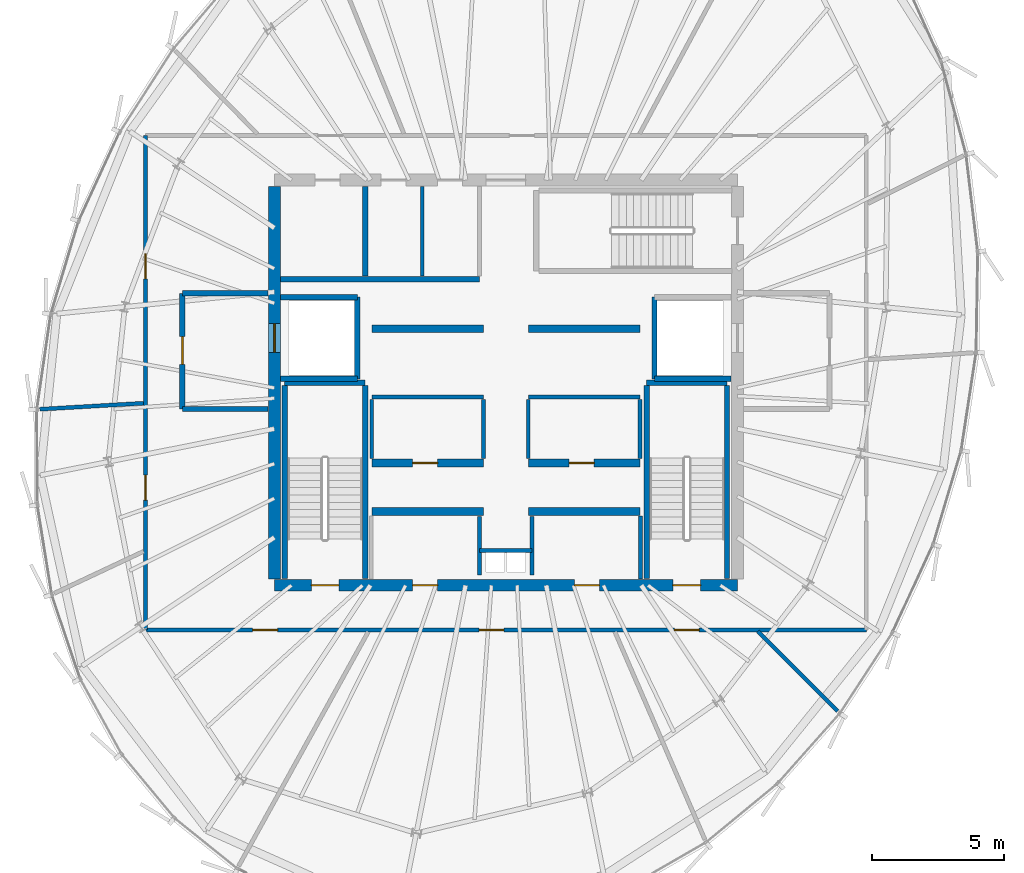
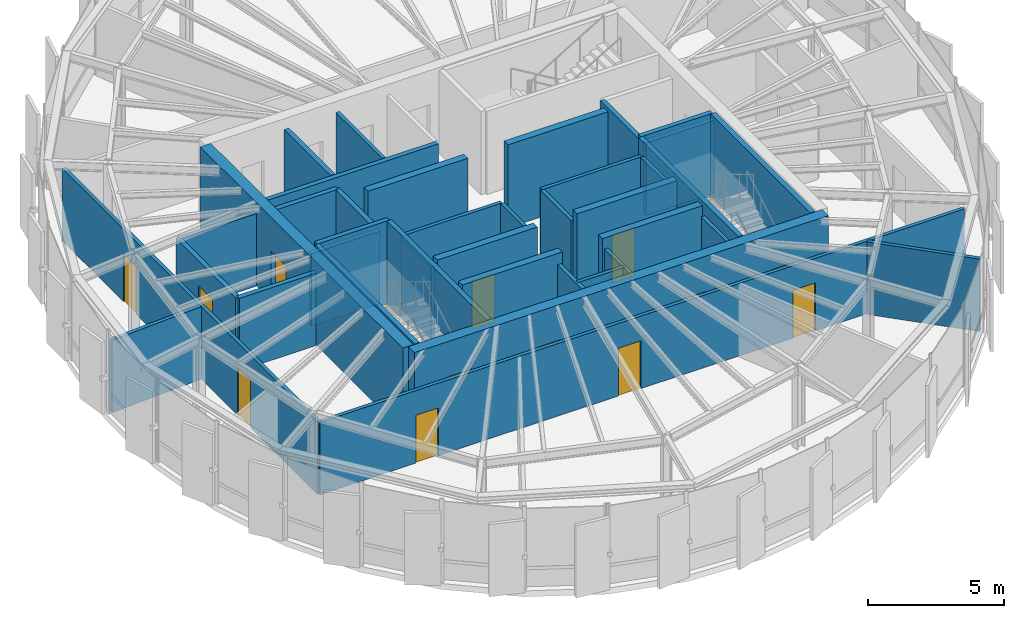
# One storey, part 22 of 27: 39 walls, 13 doors, 13 openings.
"""IFC4 building model written with IfcOpenShell, lengths in metres."""

from ifc_helpers import new_model, si_unit, direction, frame, frame_2d, origin, place, context, subcontext, project, spatial, rectangle, extrude, source, transform, mapped, material, layer, layer_set, type_object, element, fill, save


model = new_model("IFC4")

# Units and contexts
model_context = context("Model", 3, precision=1e-05, world=origin(), true_north=direction((0.0, 1.0)))
body_context = subcontext(model_context, "Body", "Model", "MODEL_VIEW")
ifc_project = project(units=[si_unit("LENGTHUNIT", "METRE"), si_unit("AREAUNIT", "SQUARE_METRE"), si_unit("VOLUMEUNIT", "CUBIC_METRE"), si_unit("PLANEANGLEUNIT", "RADIAN"), si_unit("MASSUNIT", "GRAM", prefix="KILO"), si_unit("THERMODYNAMICTEMPERATUREUNIT", "KELVIN")], contexts=[model_context])

# Site, building, storey
site_placement = place(None, origin())
site = spatial("IfcSite", under=ifc_project, at=site_placement, CompositionType="ELEMENT")
building_placement = place(site_placement, origin())
building = spatial("IfcBuilding", under=site, at=building_placement, Name="Kethvar Cultural Tower", CompositionType="ELEMENT")
storey_placement = place(building_placement, frame((0.0, 0.0, 312.300048828125)))
storey = spatial("IfcBuildingStorey", under=building, at=storey_placement, Name="L83", CompositionType="ELEMENT", Elevation=312.300048828125)

# Wall, openings, doors
ifc_material_1 = material(Name="Concrete C50/60", Category="concrete")
ifc_layer_1 = layer(ifc_material_1, 0.449951171875, Name="Concrete C50/60", Category="concrete")
ifc_layer_set_1 = layer_set([ifc_layer_1], Name="Concrete C50/60 (450 mm)")
wall_type_1 = type_object("IfcWallType", Name="WL-CORE-450", PredefinedType="SHEAR", material=ifc_layer_set_1)
wall_1_placement = place(storey_placement, frame((38.0, 20.10009765625, 0.0), z_axis=(0.0, 0.0, 1.0), x_axis=(1.0, 0.0, 0.0)))
wall_1 = element("IfcWall", 1, at=wall_1_placement, inside=storey, type_object=wall_type_1, Name="L83 Core Shear Wall S", PredefinedType="SHEAR", context=body_context, shape_type="SweptSolid", body=[
    extrude(rectangle(XDim=17.60009765625, YDim=0.449951171875, at=frame_2d((8.800048828125, 0.0))), origin(), (0.0, 0.0, 1.0), 3.73486328125),
])
opening_1_placement = place(wall_1_placement, frame((1.39990234375, 0.0, 0.0)))
opening_1 = element("IfcOpeningElement", 2, at=opening_1_placement, cuts=wall_1, Name="Opening D-L83-S1", PredefinedType="OPENING", context=body_context, shape_type="SweptSolid", body=[
    extrude(rectangle(XDim=1.050048828125, YDim=2.14990234375, at=frame_2d((0.52490234375, 1.074951171875))), frame((0.0, 0.23486328125, 0.0), z_axis=(0.0, -1.0, 0.0), x_axis=(1.0, 0.0, 0.0)), (0.0, 0.0, 1.0), 0.469970703125),
])
opening_2_placement = place(wall_1_placement, frame((15.14990234375, 0.0, 0.0)))
opening_2 = element("IfcOpeningElement", 3, at=opening_2_placement, cuts=wall_1, Name="Opening D-L83-ST2", PredefinedType="OPENING", context=body_context, shape_type="SweptSolid", body=[
    extrude(rectangle(XDim=1.050048828125, YDim=2.14990234375, at=frame_2d((0.52490234375, 1.074951171875))), frame((0.0, 0.23486328125, 0.0), z_axis=(0.0, -1.0, 0.0), x_axis=(1.0, 0.0, 0.0)), (0.0, 0.0, 1.0), 0.469970703125),
])
opening_3_placement = place(wall_1_placement, frame((5.25, 0.0, 0.0)))
opening_3 = element("IfcOpeningElement", 4, at=opening_3_placement, cuts=wall_1, Name="Opening D-L83-V1", PredefinedType="OPENING", context=body_context, shape_type="SweptSolid", body=[
    extrude(rectangle(XDim=0.949951171875, YDim=2.14990234375, at=frame_2d((0.47509765625, 1.074951171875))), frame((0.0, 0.23486328125, 0.0), z_axis=(0.0, -1.0, 0.0), x_axis=(1.0, 0.0, 0.0)), (0.0, 0.0, 1.0), 0.469970703125),
])
opening_4_placement = place(wall_1_placement, frame((11.39990234375, 0.0, 0.0)))
opening_4 = element("IfcOpeningElement", 5, at=opening_4_placement, cuts=wall_1, Name="Opening D-L83-V2", PredefinedType="OPENING", context=body_context, shape_type="SweptSolid", body=[
    extrude(rectangle(XDim=0.949951171875, YDim=2.14990234375, at=frame_2d((0.47509765625, 1.074951171875))), frame((0.0, 0.23486328125, 0.0), z_axis=(0.0, -1.0, 0.0), x_axis=(1.0, 0.0, 0.0)), (0.0, 0.0, 1.0), 0.469970703125),
])
ifc_material_2 = material(Name="Steel S355J2", Category="steel")
door_type_1 = type_object("IfcDoorType", Name="DR-FD60-1050", OperationType="NOTDEFINED", PredefinedType="DOOR", material=ifc_material_2)
shared_shape_1 = source(origin(), body_context, "Body", "SweptSolid", [
    extrude(rectangle(XDim=1.050048828125, YDim=2.14990234375, at=frame_2d((0.52490234375, 1.074951171875))), frame((0.0, 0.02490234375, 0.0), z_axis=(0.0, -1.0, 0.0), x_axis=(1.0, 0.0, 0.0)), (0.0, 0.0, 1.0), 0.050048828125),
])
door_1_placement = place(opening_1_placement, origin())
door_1 = element("IfcDoor", 6, at=door_1_placement, inside=storey, type_object=door_type_1, Name="L83 Exit Stair 1 Door", OperationType="SINGLE_SWING_LEFT", OverallHeight=2.14990234375, OverallWidth=1.050048828125, PredefinedType="DOOR", context=body_context, shape_type="MappedRepresentation", body=[
    mapped(shared_shape_1, transform((0.0, 0.0, 0.0), scale=1.0)),
])
fill(opening_1, door_1)
door_2_placement = place(opening_2_placement, origin())
door_2 = element("IfcDoor", 7, at=door_2_placement, inside=storey, type_object=door_type_1, Name="L83 Exit Stair 2 Door", OperationType="SINGLE_SWING_RIGHT", OverallHeight=2.14990234375, OverallWidth=1.050048828125, PredefinedType="DOOR", context=body_context, shape_type="MappedRepresentation", body=[
    mapped(shared_shape_1, transform((0.0, 0.0, 0.0), scale=1.0)),
])
fill(opening_2, door_2)
ifc_material_3 = material(Name="Architectural Oak Timber", Category="wood")
door_type_2 = type_object("IfcDoorType", Name="DR-FD30-950", OperationType="NOTDEFINED", PredefinedType="DOOR", material=ifc_material_3)
shared_shape_2 = source(origin(), body_context, "Body", "SweptSolid", [
    extrude(rectangle(XDim=0.949951171875, YDim=2.14990234375, at=frame_2d((0.47509765625, 1.074951171875))), frame((0.0, 0.02490234375, 0.0), z_axis=(0.0, -1.0, 0.0), x_axis=(1.0, 0.0, 0.0)), (0.0, 0.0, 1.0), 0.050048828125),
])
door_3_placement = place(opening_3_placement, origin())
door_3 = element("IfcDoor", 8, at=door_3_placement, inside=storey, type_object=door_type_2, Name="L83 Reclaimed West Room Door", OperationType="SINGLE_SWING_LEFT", OverallHeight=2.14990234375, OverallWidth=0.949951171875, PredefinedType="DOOR", context=body_context, shape_type="MappedRepresentation", body=[
    mapped(shared_shape_2, transform((0.0, 0.0, 0.0), scale=1.0)),
])
fill(opening_3, door_3)
door_4_placement = place(opening_4_placement, origin())
door_4 = element("IfcDoor", 9, at=door_4_placement, inside=storey, type_object=door_type_2, Name="L83 Reclaimed East Room Door", OperationType="SINGLE_SWING_RIGHT", OverallHeight=2.14990234375, OverallWidth=0.949951171875, PredefinedType="DOOR", context=body_context, shape_type="MappedRepresentation", body=[
    mapped(shared_shape_2, transform((0.0, 0.0, 0.0), scale=1.0)),
])
fill(opening_4, door_4)

# Wall, opening, door
wall_2_placement = place(storey_placement, frame((38.0, 35.260009765625, 0.0), z_axis=(0.0, 0.0, 1.0), x_axis=(0.0, -1.0, 0.0)))
wall_2 = element("IfcWall", 10, at=wall_2_placement, inside=storey, type_object=wall_type_1, Name="L83 Core Shear Wall W", PredefinedType="SHEAR", context=body_context, shape_type="SweptSolid", body=[
    extrude(rectangle(XDim=14.919921875, YDim=0.449951171875, at=frame_2d((7.4599609375, 0.0))), origin(), (0.0, 0.0, 1.0), 3.73486328125),
])
opening_5_placement = place(wall_2_placement, frame((5.2099609375, 0.0, 0.0)))
opening_5 = element("IfcOpeningElement", 11, at=opening_5_placement, cuts=wall_2, Name="Opening LD-1", PredefinedType="OPENING", context=body_context, shape_type="SweptSolid", body=[
    extrude(rectangle(XDim=1.10009765625, YDim=2.199951171875, at=frame_2d((0.550048828125, 1.10009765625))), frame((0.0, 0.23486328125, 0.0), z_axis=(0.0, -1.0, 0.0), x_axis=(1.0, 0.0, 0.0)), (0.0, 0.0, 1.0), 0.469970703125),
])
door_type_3 = type_object("IfcDoorType", Name="DR-LIFT-SLIDE-1100", OperationType="NOTDEFINED", PredefinedType="DOOR", material=ifc_material_2)
shared_shape_3 = source(origin(), body_context, "Body", "SweptSolid", [
    extrude(rectangle(XDim=1.10009765625, YDim=2.199951171875, at=frame_2d((0.550048828125, 1.10009765625))), frame((0.0, 0.02490234375, 0.0), z_axis=(0.0, -1.0, 0.0), x_axis=(1.0, 0.0, 0.0)), (0.0, 0.0, 1.0), 0.050048828125),
])
door_5_placement = place(opening_5_placement, origin())
door_5 = element("IfcDoor", 12, at=door_5_placement, inside=storey, type_object=door_type_3, Name="L83 Firefighting Lift Landing Door FFL-01", OperationType="SLIDING_TO_LEFT", OverallHeight=2.199951171875, OverallWidth=1.10009765625, PredefinedType="DOOR", context=body_context, shape_type="MappedRepresentation", body=[
    mapped(shared_shape_3, transform((0.0, 0.0, 0.0), scale=1.0)),
])
fill(opening_5, door_5)

# Walls
ifc_material_4 = material(Name="Gypsum Fireboard Partition")
ifc_layer_2 = layer(ifc_material_4, 0.14990234375, Name="Gypsum Fireboard Partition")
ifc_layer_set_2 = layer_set([ifc_layer_2], Name="Gypsum Fireboard Partition (150 mm)")
wall_type_2 = type_object("IfcWallType", Name="WL-FIRE-150", PredefinedType="PARTITIONING", material=ifc_layer_set_2)
wall_3_placement = place(storey_placement, frame((45.800048828125, 21.419921875, 0.0), z_axis=(0.0, 0.0, 1.0), x_axis=(1.0, 0.0, 0.0)))
element("IfcWall", 13, at=wall_3_placement, inside=storey, type_object=wall_type_2, Name="L83 Core Riser Wall", PredefinedType="PARTITIONING", context=body_context, shape_type="SweptSolid", body=[
    extrude(rectangle(XDim=2.0, YDim=0.14990234375, at=frame_2d((1.0, 0.0))), origin(), (0.0, 0.0, 1.0), 3.260009765625),
])
for number, where, z_axis, x_axis, name in (
    (14, (45.800048828125, 20.47998046875, 0.0), (0.0, 0.0, 1.0), (0.0, 1.0, 0.0), "L83 Core Riser West Wall"),
    (15, (47.800048828125, 20.47998046875, 0.0), (0.0, 0.0, 1.0), (0.0, 1.0, 0.0), "L83 Core Riser East Wall"),
):
    element("IfcWall", number, at=place(storey_placement, frame(where, z_axis=z_axis, x_axis=x_axis)), inside=storey, type_object=wall_type_2, Name=name, PredefinedType="PARTITIONING", context=body_context, shape_type="SweptSolid", body=[
        extrude(rectangle(XDim=2.239990234375, YDim=0.14990234375, at=frame_2d((1.1201171875, 0.0))), origin(), (0.0, 0.0, 1.0), 3.260009765625),
    ])
wall_4_placement = place(storey_placement, frame((51.919921875, 20.3349609375, 0.0), z_axis=(0.0, 0.0, 1.0), x_axis=(0.0, 1.0, 0.0)))
element("IfcWall", 16, at=wall_4_placement, inside=storey, type_object=wall_type_2, Name="L83 Reclaimed East Outer Wall", PredefinedType="PARTITIONING", context=body_context, shape_type="SweptSolid", body=[
    extrude(rectangle(XDim=2.39501953125, YDim=0.14990234375, at=frame_2d((1.197509765625, 0.0))), origin(), (0.0, 0.0, 1.0), 3.260009765625),
])
for number, where, z_axis, x_axis, name in (
    (17, (41.699951171875, 27.25, 0.0), (0.0, 0.0, 1.0), (1.0, 0.0, 0.0), "L83 Reclaimed Mid Wall W"),
    (18, (47.64990234375, 27.25, 0.0), (0.0, 0.0, 1.0), (1.0, 0.0, 0.0), "L83 Reclaimed Mid Wall E"),
):
    element("IfcWall", number, at=place(storey_placement, frame(where, z_axis=z_axis, x_axis=x_axis)), inside=storey, type_object=wall_type_2, Name=name, PredefinedType="PARTITIONING", context=body_context, shape_type="SweptSolid", body=[
        extrude(rectangle(XDim=4.25, YDim=0.14990234375, at=frame_2d((2.125, 0.0))), origin(), (0.0, 0.0, 1.0), 3.260009765625),
    ])
for number, where, z_axis, x_axis, name in (
    (19, (41.699951171875, 24.919921875, 0.0), (0.0, 0.0, 1.0), (0.0, 1.0, 0.0), "L83 Reclaimed Mid Outer W"),
    (20, (45.949951171875, 24.919921875, 0.0), (0.0, 0.0, 1.0), (0.0, 1.0, 0.0), "L83 Reclaimed Mid Spine W"),
    (21, (47.64990234375, 24.919921875, 0.0), (0.0, 0.0, 1.0), (0.0, 1.0, 0.0), "L83 Reclaimed Mid Spine E"),
    (22, (51.89990234375, 24.919921875, 0.0), (0.0, 0.0, 1.0), (0.0, 1.0, 0.0), "L83 Reclaimed Mid Outer E"),
):
    element("IfcWall", number, at=place(storey_placement, frame(where, z_axis=z_axis, x_axis=x_axis)), inside=storey, type_object=wall_type_2, Name=name, PredefinedType="PARTITIONING", context=body_context, shape_type="SweptSolid", body=[
        extrude(rectangle(XDim=2.239990234375, YDim=0.14990234375, at=frame_2d((1.1201171875, 0.0))), origin(), (0.0, 0.0, 1.0), 3.260009765625),
    ])

# Wall, openings, doors
wall_5_placement = place(storey_placement, frame((33.10009765625, 18.39990234375, 0.0), z_axis=(0.0, 0.0, 1.0), x_axis=(1.0, 0.0, 0.0)))
wall_5 = element("IfcWall", 23, at=wall_5_placement, inside=storey, type_object=wall_type_2, Name="L83 Corridor Rated Wall S", PredefinedType="PARTITIONING", context=body_context, shape_type="SweptSolid", body=[
    extrude(rectangle(XDim=27.39990234375, YDim=0.14990234375, at=frame_2d((13.699951171875, 0.0))), origin(), (0.0, 0.0, 1.0), 3.260009765625),
])
opening_6_placement = place(wall_5_placement, frame((4.067626953125, 0.0, 0.0)))
opening_6 = element("IfcOpeningElement", 24, at=opening_6_placement, cuts=wall_5, Name="Opening D-L83-02", PredefinedType="OPENING", context=body_context, shape_type="SweptSolid", body=[
    extrude(rectangle(XDim=0.949951171875, YDim=2.14990234375, at=frame_2d((0.47509765625, 1.074951171875))), frame((0.0, 0.0849609375, 0.0), z_axis=(0.0, -1.0, 0.0), x_axis=(1.0, 0.0, 0.0)), (0.0, 0.0, 1.0), 0.169921875),
])
opening_7_placement = place(wall_5_placement, frame((12.67724609375, 0.0, 0.0)))
opening_7 = element("IfcOpeningElement", 25, at=opening_7_placement, cuts=wall_5, Name="Opening D-L83-03", PredefinedType="OPENING", context=body_context, shape_type="SweptSolid", body=[
    extrude(rectangle(XDim=0.949951171875, YDim=2.14990234375, at=frame_2d((0.47509765625, 1.074951171875))), frame((0.0, 0.0849609375, 0.0), z_axis=(0.0, -1.0, 0.0), x_axis=(1.0, 0.0, 0.0)), (0.0, 0.0, 1.0), 0.169921875),
])
opening_8_placement = place(wall_5_placement, frame((20.10009765625, 0.0, 0.0)))
opening_8 = element("IfcOpeningElement", 26, at=opening_8_placement, cuts=wall_5, Name="Opening D-L83-04", PredefinedType="OPENING", context=body_context, shape_type="SweptSolid", body=[
    extrude(rectangle(XDim=0.949951171875, YDim=2.14990234375, at=frame_2d((0.47509765625, 1.074951171875))), frame((0.0, 0.0849609375, 0.0), z_axis=(0.0, -1.0, 0.0), x_axis=(1.0, 0.0, 0.0)), (0.0, 0.0, 1.0), 0.169921875),
])
door_6_placement = place(opening_6_placement, origin())
door_6 = element("IfcDoor", 27, at=door_6_placement, inside=storey, type_object=door_type_2, Name="L83 Primary AHU Mechanical Plant Room 02 Door", OperationType="SINGLE_SWING_LEFT", OverallHeight=2.14990234375, OverallWidth=0.949951171875, PredefinedType="DOOR", context=body_context, shape_type="MappedRepresentation", body=[
    mapped(shared_shape_2, transform((0.0, 0.0, 0.0), scale=1.0)),
])
fill(opening_6, door_6)
door_7_placement = place(opening_7_placement, origin())
door_7 = element("IfcDoor", 28, at=door_7_placement, inside=storey, type_object=door_type_2, Name="L83 Broadcast Transmitter Plant Room 03 Door", OperationType="SINGLE_SWING_RIGHT", OverallHeight=2.14990234375, OverallWidth=0.949951171875, PredefinedType="DOOR", context=body_context, shape_type="MappedRepresentation", body=[
    mapped(shared_shape_2, transform((0.0, 0.0, 0.0), scale=1.0)),
])
fill(opening_7, door_7)
door_8_placement = place(opening_8_placement, origin())
door_8 = element("IfcDoor", 29, at=door_8_placement, inside=storey, type_object=door_type_2, Name="L83 MV Transformer Plant Room 04 Door", OperationType="SINGLE_SWING_LEFT", OverallHeight=2.14990234375, OverallWidth=0.949951171875, PredefinedType="DOOR", context=body_context, shape_type="MappedRepresentation", body=[
    mapped(shared_shape_2, transform((0.0, 0.0, 0.0), scale=1.0)),
])
fill(opening_8, door_8)

wall_6_placement = place(storey_placement, frame((33.10009765625, 37.199951171875, 0.0), z_axis=(0.0, 0.0, 1.0), x_axis=(0.0, -1.0, 0.0)))
wall_6 = element("IfcWall", 30, at=wall_6_placement, inside=storey, type_object=wall_type_2, Name="L83 Corridor Rated Wall W", PredefinedType="PARTITIONING", context=body_context, shape_type="SweptSolid", body=[
    extrude(rectangle(XDim=18.800048828125, YDim=0.14990234375, at=frame_2d((9.39990234375, 0.0))), origin(), (0.0, 0.0, 1.0), 3.260009765625),
])
opening_9_placement = place(wall_6_placement, frame((12.9169921875, 0.0, 0.0)))
opening_9 = element("IfcOpeningElement", 31, at=opening_9_placement, cuts=wall_6, Name="Opening D-L83-01", PredefinedType="OPENING", context=body_context, shape_type="SweptSolid", body=[
    extrude(rectangle(XDim=0.949951171875, YDim=2.14990234375, at=frame_2d((0.47509765625, 1.074951171875))), frame((0.0, 0.0849609375, 0.0), z_axis=(0.0, -1.0, 0.0), x_axis=(1.0, 0.0, 0.0)), (0.0, 0.0, 1.0), 0.169921875),
])
opening_10_placement = place(wall_6_placement, frame((4.503173828125, 0.0, 0.0)))
opening_10 = element("IfcOpeningElement", 32, at=opening_10_placement, cuts=wall_6, Name="Opening D-L83-10", PredefinedType="OPENING", context=body_context, shape_type="SweptSolid", body=[
    extrude(rectangle(XDim=0.949951171875, YDim=2.14990234375, at=frame_2d((0.47509765625, 1.074951171875))), frame((0.0, 0.0849609375, 0.0), z_axis=(0.0, -1.0, 0.0), x_axis=(1.0, 0.0, 0.0)), (0.0, 0.0, 1.0), 0.169921875),
])
door_9_placement = place(opening_9_placement, origin())
door_9 = element("IfcDoor", 33, at=door_9_placement, inside=storey, type_object=door_type_2, Name="L83 Crown Chiller Plant Room 01 Door", OperationType="SINGLE_SWING_RIGHT", OverallHeight=2.14990234375, OverallWidth=0.949951171875, PredefinedType="DOOR", context=body_context, shape_type="MappedRepresentation", body=[
    mapped(shared_shape_2, transform((0.0, 0.0, 0.0), scale=1.0)),
])
fill(opening_9, door_9)
door_10_placement = place(opening_10_placement, origin())
door_10 = element("IfcDoor", 34, at=door_10_placement, inside=storey, type_object=door_type_2, Name="L83 Telemetry Equipment Plant Room 10 Door", OperationType="SINGLE_SWING_LEFT", OverallHeight=2.14990234375, OverallWidth=0.949951171875, PredefinedType="DOOR", context=body_context, shape_type="MappedRepresentation", body=[
    mapped(shared_shape_2, transform((0.0, 0.0, 0.0), scale=1.0)),
])
fill(opening_10, door_10)

# Walls
wall_7_placement = place(storey_placement, frame((33.02001953125, 27.01953125, 0.0), z_axis=(0.0, 0.0, 1.0), x_axis=(-0.998313378313, -0.058055134838, 0.0)))
element("IfcWall", 35, at=wall_7_placement, inside=storey, type_object=wall_type_2, Name="L83 Radial Partition Wall 01", PredefinedType="PARTITIONING", context=body_context, shape_type="SweptSolid", body=[
    extrude(rectangle(XDim=3.94873046875, YDim=0.14990234375, at=frame_2d((1.974365234375, 0.0))), origin(), (0.0, 0.0, 1.0), 3.260009765625),
])
wall_8_placement = place(storey_placement, frame((56.375244140625, 18.343505859375, 0.0), z_axis=(0.0, 0.0, 1.0), x_axis=(0.707731709482, -0.706481300102, 0.0)))
element("IfcWall", 36, at=wall_8_placement, inside=storey, type_object=wall_type_2, Name="L83 Radial Partition Wall 05", PredefinedType="PARTITIONING", context=body_context, shape_type="SweptSolid", body=[
    extrude(rectangle(XDim=4.29541015625, YDim=0.14990234375, at=frame_2d((2.147705078125, 0.0))), origin(), (0.0, 0.0, 1.0), 3.260009765625),
])
ifc_material_5 = material(Name="Concrete C40/50", Category="concrete")
ifc_layer_3 = layer(ifc_material_5, 0.199951171875, Name="Concrete C40/50", Category="concrete")
ifc_layer_set_3 = layer_set([ifc_layer_3], Name="Concrete C40/50 (200 mm)")
wall_type_3 = type_object("IfcWallType", Name="WL-FIRE-200", PredefinedType="PARTITIONING", material=ifc_layer_set_3)
wall_9_placement = place(storey_placement, frame((41.14990234375, 27.949951171875, 0.0), z_axis=(0.0, 0.0, 1.0), x_axis=(0.0, 1.0, 0.0)))
element("IfcWall", 37, at=wall_9_placement, inside=storey, type_object=wall_type_3, Name="L83 FFL-01 Shaft Inner Wall", PredefinedType="PARTITIONING", context=body_context, shape_type="SweptSolid", body=[
    extrude(rectangle(XDim=3.10009765625, YDim=0.199951171875, at=frame_2d((1.550048828125, 0.0))), origin(), (0.0, 0.0, 1.0), 3.260009765625),
])
for number, where, z_axis, x_axis, name in (
    (38, (38.235107421875, 27.949951171875, 0.0), (0.0, 0.0, 1.0), (1.0, 0.0, 0.0), "L83 FFL-01 Shaft South Wall"),
    (39, (38.235107421875, 31.050048828125, 0.0), (0.0, 0.0, 1.0), (1.0, 0.0, 0.0), "L83 FFL-01 Shaft North Wall"),
):
    element("IfcWall", number, at=place(storey_placement, frame(where, z_axis=z_axis, x_axis=x_axis)), inside=storey, type_object=wall_type_3, Name=name, PredefinedType="PARTITIONING", context=body_context, shape_type="SweptSolid", body=[
        extrude(rectangle(XDim=2.914794921875, YDim=0.199951171875, at=frame_2d((1.45751953125, 0.0))), origin(), (0.0, 0.0, 1.0), 3.260009765625),
    ])

# Wall, opening, door
wall_10_placement = place(storey_placement, frame((34.5, 31.199951171875, 0.0), z_axis=(0.0, 0.0, 1.0), x_axis=(0.0, -1.0, 0.0)))
wall_10 = element("IfcWall", 40, at=wall_10_placement, inside=storey, type_object=wall_type_3, Name="L83 Firefighting Lobby 1 Wall", PredefinedType="PARTITIONING", context=body_context, shape_type="SweptSolid", body=[
    extrude(rectangle(XDim=4.39990234375, YDim=0.199951171875, at=frame_2d((2.199951171875, 0.0))), origin(), (0.0, 0.0, 1.0), 3.260009765625),
])
opening_11_placement = place(wall_10_placement, frame((1.64990234375, 0.0, 0.0)))
opening_11 = element("IfcOpeningElement", 41, at=opening_11_placement, cuts=wall_10, Name="Opening D-L83-F1", PredefinedType="OPENING", context=body_context, shape_type="SweptSolid", body=[
    extrude(rectangle(XDim=1.050048828125, YDim=2.14990234375, at=frame_2d((0.52490234375, 1.074951171875))), frame((0.0, 0.10986328125, 0.0), z_axis=(0.0, -1.0, 0.0), x_axis=(1.0, 0.0, 0.0)), (0.0, 0.0, 1.0), 0.219970703125),
])
door_11_placement = place(opening_11_placement, origin())
door_11 = element("IfcDoor", 42, at=door_11_placement, inside=storey, type_object=door_type_1, Name="L83 Firefighting Lobby 1 Fire Door", OperationType="SINGLE_SWING_LEFT", OverallHeight=2.14990234375, OverallWidth=1.050048828125, PredefinedType="DOOR", context=body_context, shape_type="MappedRepresentation", body=[
    mapped(shared_shape_1, transform((0.0, 0.0, 0.0), scale=1.0)),
])
fill(opening_11, door_11)

# Walls
for number, where, z_axis, x_axis, name in (
    (43, (34.5, 26.800048828125, 0.0), (0.0, 0.0, 1.0), (1.0, 0.0, 0.0), "L83 FF Lobby 1 South Wall"),
    (44, (34.5, 31.199951171875, 0.0), (0.0, 0.0, 1.0), (1.0, 0.0, 0.0), "L83 FF Lobby 1 North Wall"),
):
    element("IfcWall", number, at=place(storey_placement, frame(where, z_axis=z_axis, x_axis=x_axis)), inside=storey, type_object=wall_type_3, Name=name, PredefinedType="PARTITIONING", context=body_context, shape_type="SweptSolid", body=[
        extrude(rectangle(XDim=3.264892578125, YDim=0.199951171875, at=frame_2d((1.63232421875, 0.0))), origin(), (0.0, 0.0, 1.0), 3.260009765625),
    ])
wall_11_placement = place(storey_placement, frame((52.449951171875, 27.949951171875, 0.0), z_axis=(0.0, 0.0, 1.0), x_axis=(0.0, 1.0, 0.0)))
element("IfcWall", 45, at=wall_11_placement, inside=storey, type_object=wall_type_3, Name="L83 FFL-02 Shaft Inner Wall", PredefinedType="PARTITIONING", context=body_context, shape_type="SweptSolid", body=[
    extrude(rectangle(XDim=3.10009765625, YDim=0.199951171875, at=frame_2d((1.550048828125, 0.0))), origin(), (0.0, 0.0, 1.0), 3.260009765625),
])
wall_12_placement = place(storey_placement, frame((52.449951171875, 27.949951171875, 0.0), z_axis=(0.0, 0.0, 1.0), x_axis=(1.0, 0.0, 0.0)))
element("IfcWall", 46, at=wall_12_placement, inside=storey, type_object=wall_type_3, Name="L83 FFL-02 Shaft South Wall", PredefinedType="PARTITIONING", context=body_context, shape_type="SweptSolid", body=[
    extrude(rectangle(XDim=2.9150390625, YDim=0.199951171875, at=frame_2d((1.45751953125, 0.0))), origin(), (0.0, 0.0, 1.0), 3.260009765625),
])
wall_13_placement = place(storey_placement, frame((41.449951171875, 31.85009765625, 0.0), z_axis=(0.0, 0.0, 1.0), x_axis=(0.0, 1.0, 0.0)))
element("IfcWall", 47, at=wall_13_placement, inside=storey, type_object=wall_type_3, Name="L83 NW Core Pocket Wall", PredefinedType="PARTITIONING", context=body_context, shape_type="SweptSolid", body=[
    extrude(rectangle(XDim=3.414794921875, YDim=0.199951171875, at=frame_2d((1.70751953125, 0.0))), origin(), (0.0, 0.0, 1.0), 3.260009765625),
])
wall_14_placement = place(storey_placement, frame((38.235107421875, 31.72998046875, 0.0), z_axis=(0.0, 0.0, 1.0), x_axis=(1.0, 0.0, 0.0)))
element("IfcWall", 48, at=wall_14_placement, inside=storey, type_object=wall_type_3, Name="L83 North Core Sanitary South Wall", PredefinedType="PARTITIONING", context=body_context, shape_type="SweptSolid", body=[
    extrude(rectangle(XDim=7.56494140625, YDim=0.199951171875, at=frame_2d((3.782470703125, 0.0))), origin(), (0.0, 0.0, 1.0), 3.260009765625),
])
ifc_material_6 = material(Name="Moisture-Resistant Sanitary Chase Wall")
ifc_layer_4 = layer(ifc_material_6, 0.14990234375, Name="Moisture-Resistant Sanitary Chase Wall")
ifc_layer_set_4 = layer_set([ifc_layer_4], Name="Moisture-Resistant Sanitary Chase Wall (150 mm)")
wall_type_4 = type_object("IfcWallType", Name="WL-PLUMB-150", PredefinedType="PLUMBINGWALL", material=ifc_layer_set_4)
wall_15_placement = place(storey_placement, frame((43.6201171875, 31.85009765625, 0.0), z_axis=(0.0, 0.0, 1.0), x_axis=(0.0, 1.0, 0.0)))
element("IfcWall", 49, at=wall_15_placement, inside=storey, type_object=wall_type_4, Name="L83 Sanitary Plumbing Wall", PredefinedType="PLUMBINGWALL", context=body_context, shape_type="SweptSolid", body=[
    extrude(rectangle(XDim=3.414794921875, YDim=0.14990234375, at=frame_2d((1.70751953125, 0.0))), origin(), (0.0, 0.0, 1.0), 3.260009765625),
])
ifc_layer_5 = layer(ifc_material_1, 0.300048828125, Name="Concrete C50/60", Category="concrete")
ifc_layer_set_5 = layer_set([ifc_layer_5], Name="Concrete C50/60 (300 mm)")
wall_type_5 = type_object("IfcWallType", Name="WL-SHAFT-300", PredefinedType="SHEAR", material=ifc_layer_set_5)
for number, where, z_axis, x_axis, name in (
    (50, (41.699951171875, 22.89990234375, 0.0), (0.0, 0.0, 1.0), (1.0, 0.0, 0.0), "L83 Core Lift Spine Wall MID1W"),
    (51, (47.64990234375, 22.89990234375, 0.0), (0.0, 0.0, 1.0), (1.0, 0.0, 0.0), "L83 Core Lift Spine Wall MID1E"),
):
    element("IfcWall", number, at=place(storey_placement, frame(where, z_axis=z_axis, x_axis=x_axis)), inside=storey, type_object=wall_type_5, Name=name, PredefinedType="SHEAR", context=body_context, shape_type="SweptSolid", body=[
        extrude(rectangle(XDim=4.25, YDim=0.300048828125, at=frame_2d((2.125, 0.0))), origin(), (0.0, 0.0, 1.0), 3.73486328125),
    ])

# Wall, opening, door
wall_16_placement = place(storey_placement, frame((41.699951171875, 24.75, 0.0), z_axis=(0.0, 0.0, 1.0), x_axis=(1.0, 0.0, 0.0)))
wall_16 = element("IfcWall", 52, at=wall_16_placement, inside=storey, type_object=wall_type_5, Name="L83 Core Lift Spine Wall MID2W", PredefinedType="SHEAR", context=body_context, shape_type="SweptSolid", body=[
    extrude(rectangle(XDim=4.25, YDim=0.300048828125, at=frame_2d((2.125, 0.0))), origin(), (0.0, 0.0, 1.0), 3.73486328125),
])
opening_12_placement = place(wall_16_placement, frame((1.550048828125, 0.0, 0.0)))
opening_12 = element("IfcOpeningElement", 53, at=opening_12_placement, cuts=wall_16, Name="Opening D-L83-M1", PredefinedType="OPENING", context=body_context, shape_type="SweptSolid", body=[
    extrude(rectangle(XDim=0.949951171875, YDim=2.14990234375, at=frame_2d((0.47509765625, 1.074951171875))), frame((0.0, 0.159912109375, 0.0), z_axis=(0.0, -1.0, 0.0), x_axis=(1.0, 0.0, 0.0)), (0.0, 0.0, 1.0), 0.320068359375),
])
door_12_placement = place(opening_12_placement, origin())
door_12 = element("IfcDoor", 54, at=door_12_placement, inside=storey, type_object=door_type_2, Name="L83 Mid West Room Door", OperationType="SINGLE_SWING_LEFT", OverallHeight=2.14990234375, OverallWidth=0.949951171875, PredefinedType="DOOR", context=body_context, shape_type="MappedRepresentation", body=[
    mapped(shared_shape_2, transform((0.0, 0.0, 0.0), scale=1.0)),
])
fill(opening_12, door_12)

wall_17_placement = place(storey_placement, frame((47.64990234375, 24.75, 0.0), z_axis=(0.0, 0.0, 1.0), x_axis=(1.0, 0.0, 0.0)))
wall_17 = element("IfcWall", 55, at=wall_17_placement, inside=storey, type_object=wall_type_5, Name="L83 Core Lift Spine Wall MID2E", PredefinedType="SHEAR", context=body_context, shape_type="SweptSolid", body=[
    extrude(rectangle(XDim=4.25, YDim=0.300048828125, at=frame_2d((2.125, 0.0))), origin(), (0.0, 0.0, 1.0), 3.73486328125),
])
opening_13_placement = place(wall_17_placement, frame((1.550048828125, 0.0, 0.0)))
opening_13 = element("IfcOpeningElement", 56, at=opening_13_placement, cuts=wall_17, Name="Opening D-L83-M2", PredefinedType="OPENING", context=body_context, shape_type="SweptSolid", body=[
    extrude(rectangle(XDim=0.949951171875, YDim=2.14990234375, at=frame_2d((0.47509765625, 1.074951171875))), frame((0.0, 0.159912109375, 0.0), z_axis=(0.0, -1.0, 0.0), x_axis=(1.0, 0.0, 0.0)), (0.0, 0.0, 1.0), 0.320068359375),
])
door_13_placement = place(opening_13_placement, origin())
door_13 = element("IfcDoor", 57, at=door_13_placement, inside=storey, type_object=door_type_2, Name="L83 Mid East Room Door", OperationType="SINGLE_SWING_RIGHT", OverallHeight=2.14990234375, OverallWidth=0.949951171875, PredefinedType="DOOR", context=body_context, shape_type="MappedRepresentation", body=[
    mapped(shared_shape_2, transform((0.0, 0.0, 0.0), scale=1.0)),
])
fill(opening_13, door_13)

# Walls
for number, where, z_axis, x_axis, name in (
    (58, (41.699951171875, 29.85009765625, 0.0), (0.0, 0.0, 1.0), (1.0, 0.0, 0.0), "L83 Core Lift Spine Wall MID3W"),
    (59, (47.64990234375, 29.85009765625, 0.0), (0.0, 0.0, 1.0), (1.0, 0.0, 0.0), "L83 Core Lift Spine Wall MID3E"),
):
    element("IfcWall", number, at=place(storey_placement, frame(where, z_axis=z_axis, x_axis=x_axis)), inside=storey, type_object=wall_type_5, Name=name, PredefinedType="SHEAR", context=body_context, shape_type="SweptSolid", body=[
        extrude(rectangle(XDim=4.25, YDim=0.300048828125, at=frame_2d((2.125, 0.0))), origin(), (0.0, 0.0, 1.0), 3.73486328125),
    ])
ifc_layer_6 = layer(ifc_material_1, 0.199951171875, Name="Concrete C50/60", Category="concrete")
ifc_layer_set_6 = layer_set([ifc_layer_6], Name="Concrete C50/60 (200 mm)")
wall_type_6 = type_object("IfcWallType", Name="WL-STSHAFT-200", PredefinedType="SHEAR", material=ifc_layer_set_6)
wall_18_placement = place(storey_placement, frame((38.389892578125, 27.800048828125, 0.0), z_axis=(0.0, 0.0, 1.0), x_axis=(1.0, 0.0, 0.0)))
element("IfcWall", 60, at=wall_18_placement, inside=storey, type_object=wall_type_6, Name="L83 ST-01 Stair Shaft Wall FAR", PredefinedType="SHEAR", context=body_context, shape_type="SweptSolid", body=[
    extrude(rectangle(XDim=3.06005859375, YDim=0.199951171875, at=frame_2d((1.530029296875, 0.0))), origin(), (0.0, 0.0, 1.0), 3.73486328125),
])
for number, where, z_axis, x_axis, name in (
    (61, (41.449951171875, 27.699951171875, 0.0), (0.0, 0.0, 1.0), (0.0, -1.0, 0.0), "L83 ST-01 Stair Shaft Wall LEFT"),
    (62, (38.389892578125, 20.35009765625, 0.0), (0.0, 0.0, 1.0), (0.0, 1.0, 0.0), "L83 ST-01 Stair Shaft Wall RIGHT"),
):
    element("IfcWall", number, at=place(storey_placement, frame(where, z_axis=z_axis, x_axis=x_axis)), inside=storey, type_object=wall_type_6, Name=name, PredefinedType="SHEAR", context=body_context, shape_type="SweptSolid", body=[
        extrude(rectangle(XDim=7.349853515625, YDim=0.199951171875, at=frame_2d((3.6748046875, 0.0))), origin(), (0.0, 0.0, 1.0), 3.73486328125),
    ])
wall_19_placement = place(storey_placement, frame((52.14990234375, 27.800048828125, 0.0), z_axis=(0.0, 0.0, 1.0), x_axis=(1.0, 0.0, 0.0)))
element("IfcWall", 63, at=wall_19_placement, inside=storey, type_object=wall_type_6, Name="L83 ST-02 Stair Shaft Wall FAR", PredefinedType="SHEAR", context=body_context, shape_type="SweptSolid", body=[
    extrude(rectangle(XDim=3.06005859375, YDim=0.199951171875, at=frame_2d((1.530029296875, 0.0))), origin(), (0.0, 0.0, 1.0), 3.73486328125),
])
for number, where, z_axis, x_axis, name in (
    (64, (55.2099609375, 27.699951171875, 0.0), (0.0, 0.0, 1.0), (0.0, -1.0, 0.0), "L83 ST-02 Stair Shaft Wall LEFT"),
    (65, (52.14990234375, 20.35009765625, 0.0), (0.0, 0.0, 1.0), (0.0, 1.0, 0.0), "L83 ST-02 Stair Shaft Wall RIGHT"),
):
    element("IfcWall", number, at=place(storey_placement, frame(where, z_axis=z_axis, x_axis=x_axis)), inside=storey, type_object=wall_type_6, Name=name, PredefinedType="SHEAR", context=body_context, shape_type="SweptSolid", body=[
        extrude(rectangle(XDim=7.349853515625, YDim=0.199951171875, at=frame_2d((3.6748046875, 0.0))), origin(), (0.0, 0.0, 1.0), 3.73486328125),
    ])

save(model, "model.ifc")
